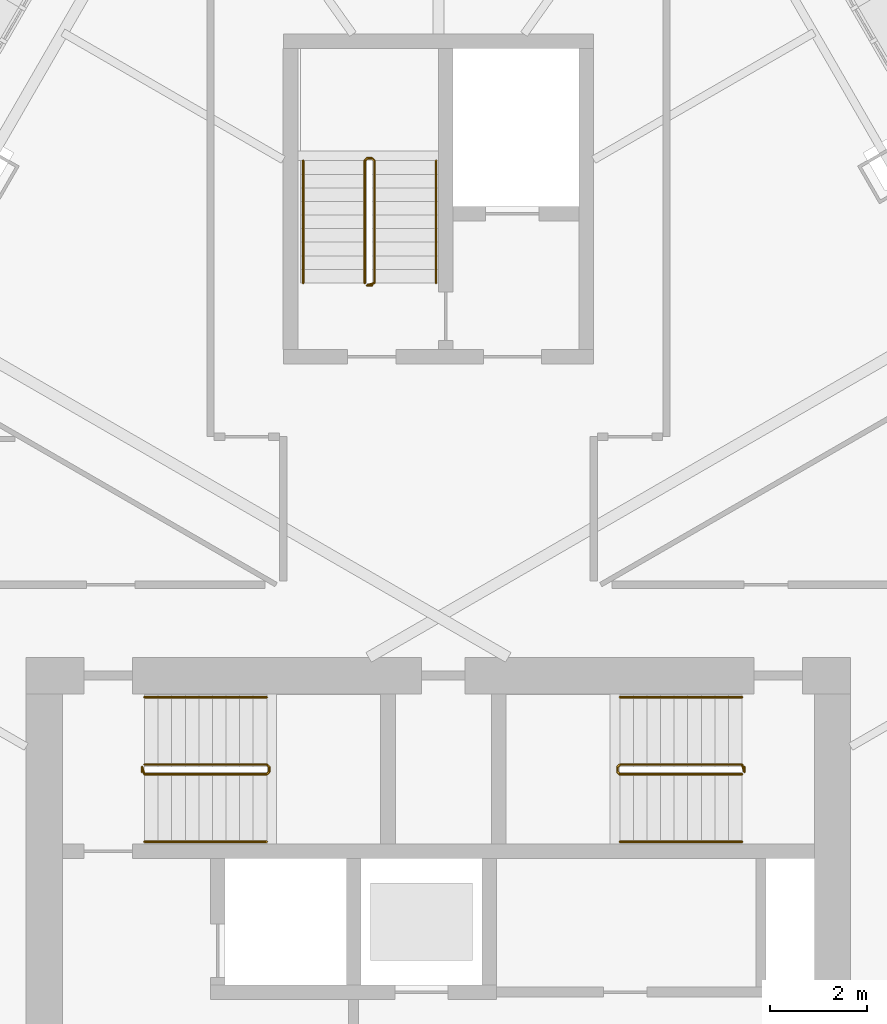
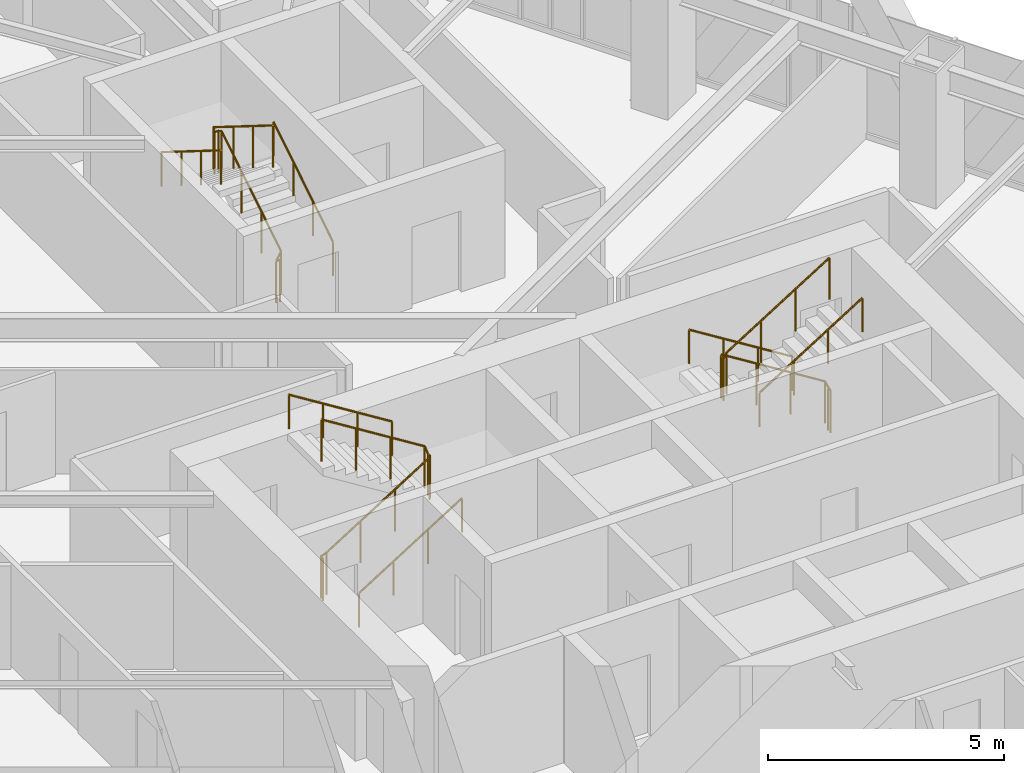
# One storey, part 24 of 25: 9 railings.
"""IFC4 building model written with IfcOpenShell, lengths in metres."""

from ifc_helpers import new_model, si_unit, direction, frame, origin, origin_2d, place, context, subcontext, project, spatial, circle, extrude, material, type_object, element, save


model = new_model("IFC4")

# Units and contexts
model_context = context("Model", 3, precision=1e-05, world=origin(), true_north=direction((0.0, 1.0)))
body_context = subcontext(model_context, "Body", "Model", "MODEL_VIEW")
ifc_project = project(units=[si_unit("LENGTHUNIT", "METRE"), si_unit("AREAUNIT", "SQUARE_METRE"), si_unit("VOLUMEUNIT", "CUBIC_METRE"), si_unit("PLANEANGLEUNIT", "RADIAN"), si_unit("MASSUNIT", "GRAM", prefix="KILO")], contexts=[model_context])

# Site, building, storey
site_placement = place(None, origin())
site = spatial("IfcSite", under=ifc_project, at=site_placement, CompositionType="ELEMENT")
building_placement = place(site_placement, origin())
building = spatial("IfcBuilding", under=site, at=building_placement, Name="Firuza Gate Tower and Library", CompositionType="ELEMENT")
storey_placement = place(building_placement, frame((0.0, 0.0, 270.60009765625)))
storey = spatial("IfcBuildingStorey", under=building, at=storey_placement, Name="L64", CompositionType="ELEMENT", Elevation=270.60009765625)

# Railings
ifc_material_1 = material(Name="Steel S355", Category="steel")
railing_type_1 = type_object("IfcRailingType", Name="Stair guard 1100", PredefinedType="GUARDRAIL", material=ifc_material_1)
railing_1_placement = place(storey_placement, frame((68.889892578125, 79.389892578125, 0.0)))
element("IfcRailing", 1, at=railing_1_placement, inside=storey, type_object=railing_type_1, Name="L64 ST1 stair guard 1", PredefinedType="GUARDRAIL", context=body_context, shape_type="SweptSolid", body=[
    extrude(circle(Radius=0.02392578125, at=origin_2d()), frame((0.0, 0.0, 1.076171875), z_axis=(0.0, 1.0, 0.0), x_axis=(-1.0, 0.0, 0.0)), (0.0, 0.0, 1.0), 0.10009765625),
    extrude(circle(Radius=0.02392578125, at=origin_2d()), frame((0.0, 0.10009765625, 1.076171875), z_axis=(0.212383695785, -0.636115069328, 0.741788908207), x_axis=(0.948528701346, 0.316691178788, 0.0)), (0.0, 0.0, 1.0), 0.235595703125),
    extrude(circle(Radius=0.02392578125, at=origin_2d()), frame((0.050048828125, -0.0498046875, 1.2509765625), z_axis=(0.847970611238, 0.0, 0.530043245855), x_axis=(0.0, 1.0, 0.0)), (0.0, 0.0, 1.0), 2.971923828125),
    extrude(circle(Radius=0.02392578125, at=origin_2d()), frame((2.570068359375, -0.0498046875, 2.826171875), z_axis=(0.708833529934, 0.705375805398, 0.0), x_axis=(-0.705375805398, 0.708833529934, 0.0)), (0.0, 0.0, 1.0), 0.070556640625),
    extrude(circle(Radius=0.02392578125, at=origin_2d()), frame((2.6201171875, 0.0, 2.826171875), z_axis=(0.0, 1.0, 0.0), x_axis=(-1.0, 0.0, 0.0)), (0.0, 0.0, 1.0), 0.10009765625),
    extrude(circle(Radius=0.02392578125, at=origin_2d()), frame((2.6201171875, 0.10009765625, 2.826171875), z_axis=(-0.265383341853, 0.265383341853, 0.926899867156), x_axis=(-0.707106781187, -0.707106781187, 0.0)), (0.0, 0.0, 1.0), 0.1884765625),
    extrude(circle(Radius=0.02392578125, at=origin_2d()), frame((2.570068359375, 0.150146484375, 3.0009765625), z_axis=(-0.847970611238, 0.0, 0.530043245855), x_axis=(0.0, -1.0, 0.0)), (0.0, 0.0, 1.0), 2.971923828125),
    extrude(circle(Radius=0.02099609375, at=origin_2d()), origin(), (0.0, 0.0, 1.0), 1.052001953125),
    extrude(circle(Radius=0.02099609375, at=origin_2d()), frame((0.0, 0.10009765625, 0.0)), (0.0, 0.0, 1.0), 1.052001953125),
    extrude(circle(Radius=0.02099609375, at=origin_2d()), frame((0.050048828125, -0.0498046875, 0.1748046875)), (0.0, 0.0, 1.0), 1.052001953125),
    extrude(circle(Radius=0.02099609375, at=origin_2d()), frame((0.89013671875, -0.0498046875, 0.699951171875)), (0.0, 0.0, 1.0), 1.052001953125),
    extrude(circle(Radius=0.02099609375, at=origin_2d()), frame((1.72998046875, -0.0498046875, 1.224853515625)), (0.0, 0.0, 1.0), 1.052001953125),
    extrude(circle(Radius=0.02099609375, at=origin_2d()), frame((2.570068359375, -0.0498046875, 1.75)), (0.0, 0.0, 1.0), 1.052001953125),
    extrude(circle(Radius=0.02099609375, at=origin_2d()), frame((2.6201171875, 0.0, 1.75)), (0.0, 0.0, 1.0), 1.052001953125),
    extrude(circle(Radius=0.02099609375, at=origin_2d()), frame((2.6201171875, 0.10009765625, 1.75)), (0.0, 0.0, 1.0), 1.052001953125),
    extrude(circle(Radius=0.02099609375, at=origin_2d()), frame((2.570068359375, 0.150146484375, 1.9248046875)), (0.0, 0.0, 1.0), 1.052001953125),
    extrude(circle(Radius=0.02099609375, at=origin_2d()), frame((1.72998046875, 0.150146484375, 2.449951171875)), (0.0, 0.0, 1.0), 1.052001953125),
    extrude(circle(Radius=0.02099609375, at=origin_2d()), frame((0.89013671875, 0.150146484375, 2.974853515625)), (0.0, 0.0, 1.0), 1.052001953125),
    extrude(circle(Radius=0.02099609375, at=origin_2d()), frame((0.050048828125, 0.150146484375, 3.5)), (0.0, 0.0, 1.0), 1.052001953125),
])
railing_2_placement = place(storey_placement, frame((81.31005859375, 79.489990234375, 0.0)))
element("IfcRailing", 2, at=railing_2_placement, inside=storey, type_object=railing_type_1, Name="L64 ST2 stair guard 1", PredefinedType="GUARDRAIL", context=body_context, shape_type="SweptSolid", body=[
    extrude(circle(Radius=0.02392578125, at=origin_2d()), frame((0.0, 0.0, 1.076171875), z_axis=(0.0, -1.0, 0.0), x_axis=(1.0, 0.0, 0.0)), (0.0, 0.0, 1.0), 0.10009765625),
    extrude(circle(Radius=0.02392578125, at=origin_2d()), frame((0.0, -0.10009765625, 1.076171875), z_axis=(-0.21224375372, 0.63673126116, 0.741300134944), x_axis=(-0.948683298051, -0.316227766017, 0.0)), (0.0, 0.0, 1.0), 0.23583984375),
    extrude(circle(Radius=0.02392578125, at=origin_2d()), frame((-0.050048828125, 0.050048828125, 1.2509765625), z_axis=(-0.847970611238, 0.0, 0.530043245855), x_axis=(0.0, -1.0, 0.0)), (0.0, 0.0, 1.0), 2.971923828125),
    extrude(circle(Radius=0.02392578125, at=origin_2d()), frame((-2.570068359375, 0.050048828125, 2.826171875), z_axis=(-0.707106781187, -0.707106781187, 0.0), x_axis=(0.707106781187, -0.707106781187, 0.0)), (0.0, 0.0, 1.0), 0.07080078125),
    extrude(circle(Radius=0.02392578125, at=origin_2d()), frame((-2.6201171875, 0.0, 2.826171875), z_axis=(0.0, -1.0, 0.0), x_axis=(1.0, 0.0, 0.0)), (0.0, 0.0, 1.0), 0.10009765625),
    extrude(circle(Radius=0.02392578125, at=origin_2d()), frame((-2.6201171875, -0.10009765625, 2.826171875), z_axis=(0.265474339444, -0.264179342666, 0.927217692888), x_axis=(0.705375805398, 0.708833529934, 0.0)), (0.0, 0.0, 1.0), 0.1884765625),
    extrude(circle(Radius=0.02392578125, at=origin_2d()), frame((-2.570068359375, -0.14990234375, 3.0009765625), z_axis=(0.847970611238, 0.0, 0.530043245855), x_axis=(0.0, 1.0, 0.0)), (0.0, 0.0, 1.0), 2.971923828125),
    extrude(circle(Radius=0.02099609375, at=origin_2d()), origin(), (0.0, 0.0, 1.0), 1.052001953125),
    extrude(circle(Radius=0.02099609375, at=origin_2d()), frame((0.0, -0.10009765625, 0.0)), (0.0, 0.0, 1.0), 1.052001953125),
    extrude(circle(Radius=0.02099609375, at=origin_2d()), frame((-0.050048828125, 0.050048828125, 0.1748046875)), (0.0, 0.0, 1.0), 1.052001953125),
    extrude(circle(Radius=0.02099609375, at=origin_2d()), frame((-0.89013671875, 0.050048828125, 0.699951171875)), (0.0, 0.0, 1.0), 1.052001953125),
    extrude(circle(Radius=0.02099609375, at=origin_2d()), frame((-1.72998046875, 0.050048828125, 1.224853515625)), (0.0, 0.0, 1.0), 1.052001953125),
    extrude(circle(Radius=0.02099609375, at=origin_2d()), frame((-2.570068359375, 0.050048828125, 1.75)), (0.0, 0.0, 1.0), 1.052001953125),
    extrude(circle(Radius=0.02099609375, at=origin_2d()), frame((-2.6201171875, 0.0, 1.75)), (0.0, 0.0, 1.0), 1.052001953125),
    extrude(circle(Radius=0.02099609375, at=origin_2d()), frame((-2.6201171875, -0.10009765625, 1.75)), (0.0, 0.0, 1.0), 1.052001953125),
    extrude(circle(Radius=0.02099609375, at=origin_2d()), frame((-2.570068359375, -0.14990234375, 1.9248046875)), (0.0, 0.0, 1.0), 1.052001953125),
    extrude(circle(Radius=0.02099609375, at=origin_2d()), frame((-1.72998046875, -0.14990234375, 2.449951171875)), (0.0, 0.0, 1.0), 1.052001953125),
    extrude(circle(Radius=0.02099609375, at=origin_2d()), frame((-0.89013671875, -0.14990234375, 2.974853515625)), (0.0, 0.0, 1.0), 1.052001953125),
    extrude(circle(Radius=0.02099609375, at=origin_2d()), frame((-0.050048828125, -0.14990234375, 3.5)), (0.0, 0.0, 1.0), 1.052001953125),
])
railing_3_placement = place(storey_placement, frame((73.6298828125, 89.419921875, 0.0)))
element("IfcRailing", 3, at=railing_3_placement, inside=storey, type_object=railing_type_1, Name="L64 ST3 stair guard 1", PredefinedType="GUARDRAIL", context=body_context, shape_type="SweptSolid", body=[
    extrude(circle(Radius=0.02392578125, at=origin_2d()), frame((0.0, 0.0, 1.076171875), z_axis=(-1.0, 0.0, 0.0), x_axis=(0.0, -1.0, 0.0)), (0.0, 0.0, 1.0), 0.099853515625),
    extrude(circle(Radius=0.02392578125, at=origin_2d()), frame((-0.099853515625, 0.0, 1.076171875), z_axis=(0.636115069328, 0.212383695785, 0.741788908207), x_axis=(-0.316691178788, 0.948528701346, 0.0)), (0.0, 0.0, 1.0), 0.235595703125),
    extrude(circle(Radius=0.02392578125, at=origin_2d()), frame((0.050048828125, 0.050048828125, 1.2509765625), z_axis=(0.0, 0.847970611238, 0.530043245855), x_axis=(-1.0, 0.0, 0.0)), (0.0, 0.0, 1.0), 2.971923828125),
    extrude(circle(Radius=0.02392578125, at=origin_2d()), frame((0.050048828125, 2.570068359375, 2.826171875), z_axis=(-0.707106781187, 0.707106781187, 0.0), x_axis=(-0.707106781187, -0.707106781187, 0.0)), (0.0, 0.0, 1.0), 0.07080078125),
    extrude(circle(Radius=0.02392578125, at=origin_2d()), frame((0.0, 2.6201171875, 2.826171875), z_axis=(-1.0, 0.0, 0.0), x_axis=(0.0, -1.0, 0.0)), (0.0, 0.0, 1.0), 0.099853515625),
    extrude(circle(Radius=0.02392578125, at=origin_2d()), frame((-0.099853515625, 2.6201171875, 2.826171875), z_axis=(-0.265383341853, -0.265383341853, 0.926899867156), x_axis=(0.707106781187, -0.707106781187, 0.0)), (0.0, 0.0, 1.0), 0.1884765625),
    extrude(circle(Radius=0.02392578125, at=origin_2d()), frame((-0.14990234375, 2.570068359375, 3.0009765625), z_axis=(0.0, -0.847970611238, 0.530043245855), x_axis=(1.0, 0.0, 0.0)), (0.0, 0.0, 1.0), 2.971923828125),
    extrude(circle(Radius=0.02099609375, at=origin_2d()), origin(), (0.0, 0.0, 1.0), 1.052001953125),
    extrude(circle(Radius=0.02099609375, at=origin_2d()), frame((-0.099853515625, 0.0, 0.0)), (0.0, 0.0, 1.0), 1.052001953125),
    extrude(circle(Radius=0.02099609375, at=origin_2d()), frame((0.050048828125, 0.050048828125, 0.1748046875)), (0.0, 0.0, 1.0), 1.052001953125),
    extrude(circle(Radius=0.02099609375, at=origin_2d()), frame((0.050048828125, 0.89013671875, 0.699951171875)), (0.0, 0.0, 1.0), 1.052001953125),
    extrude(circle(Radius=0.02099609375, at=origin_2d()), frame((0.050048828125, 1.72998046875, 1.224853515625)), (0.0, 0.0, 1.0), 1.052001953125),
    extrude(circle(Radius=0.02099609375, at=origin_2d()), frame((0.050048828125, 2.570068359375, 1.75)), (0.0, 0.0, 1.0), 1.052001953125),
    extrude(circle(Radius=0.02099609375, at=origin_2d()), frame((0.0, 2.6201171875, 1.75)), (0.0, 0.0, 1.0), 1.052001953125),
    extrude(circle(Radius=0.02099609375, at=origin_2d()), frame((-0.099853515625, 2.6201171875, 1.75)), (0.0, 0.0, 1.0), 1.052001953125),
    extrude(circle(Radius=0.02099609375, at=origin_2d()), frame((-0.14990234375, 2.570068359375, 1.9248046875)), (0.0, 0.0, 1.0), 1.052001953125),
    extrude(circle(Radius=0.02099609375, at=origin_2d()), frame((-0.14990234375, 1.72998046875, 2.449951171875)), (0.0, 0.0, 1.0), 1.052001953125),
    extrude(circle(Radius=0.02099609375, at=origin_2d()), frame((-0.14990234375, 0.89013671875, 2.974853515625)), (0.0, 0.0, 1.0), 1.052001953125),
    extrude(circle(Radius=0.02099609375, at=origin_2d()), frame((-0.14990234375, 0.050048828125, 3.5)), (0.0, 0.0, 1.0), 1.052001953125),
])
ifc_material_2 = material(Name="Steel S355", Category="steel")
railing_type_2 = type_object("IfcRailingType", Name="Stair handrail 900", PredefinedType="HANDRAIL", material=ifc_material_2)
railing_4_placement = place(storey_placement, frame((68.93994140625, 77.949951171875, 0.1748046875)))
element("IfcRailing", 4, at=railing_4_placement, inside=storey, type_object=railing_type_2, Name="L64 ST1 stair handrail 1", PredefinedType="HANDRAIL", context=body_context, shape_type="SweptSolid", body=[
    extrude(circle(Radius=0.02392578125, at=origin_2d()), frame((0.0, 0.0, 0.8759765625), z_axis=(0.847970611238, 0.0, 0.530043245855), x_axis=(0.0, 1.0, 0.0)), (0.0, 0.0, 1.0), 2.971923828125),
    extrude(circle(Radius=0.02099609375, at=origin_2d()), origin(), (0.0, 0.0, 1.0), 0.851806640625),
    extrude(circle(Radius=0.02099609375, at=origin_2d()), frame((0.840087890625, 0.0, 0.525146484375)), (0.0, 0.0, 1.0), 0.851806640625),
    extrude(circle(Radius=0.02099609375, at=origin_2d()), frame((1.679931640625, 0.0, 1.050048828125)), (0.0, 0.0, 1.0), 0.851806640625),
    extrude(circle(Radius=0.02099609375, at=origin_2d()), frame((2.52001953125, 0.0, 1.5751953125)), (0.0, 0.0, 1.0), 0.851806640625),
])
for number, where, name in (
    (5, (71.4599609375, 80.929931640625, 1.9248046875), "L64 ST1 stair handrail 2"),
    (6, (81.260009765625, 80.929931640625, 0.1748046875), "L64 ST2 stair handrail 1"),
):
    element("IfcRailing", number, at=place(storey_placement, frame(where)), inside=storey, type_object=railing_type_2, Name=name, PredefinedType="HANDRAIL", context=body_context, shape_type="SweptSolid", body=[
        extrude(circle(Radius=0.02392578125, at=origin_2d()), frame((0.0, 0.0, 0.8759765625), z_axis=(-0.847970611238, 0.0, 0.530043245855), x_axis=(0.0, -1.0, 0.0)), (0.0, 0.0, 1.0), 2.971923828125),
        extrude(circle(Radius=0.02099609375, at=origin_2d()), origin(), (0.0, 0.0, 1.0), 0.851806640625),
        extrude(circle(Radius=0.02099609375, at=origin_2d()), frame((-0.840087890625, 0.0, 0.525146484375)), (0.0, 0.0, 1.0), 0.851806640625),
        extrude(circle(Radius=0.02099609375, at=origin_2d()), frame((-1.679931640625, 0.0, 1.050048828125)), (0.0, 0.0, 1.0), 0.851806640625),
        extrude(circle(Radius=0.02099609375, at=origin_2d()), frame((-2.52001953125, 0.0, 1.5751953125)), (0.0, 0.0, 1.0), 0.851806640625),
    ])
railing_5_placement = place(storey_placement, frame((78.739990234375, 77.949951171875, 1.9248046875)))
element("IfcRailing", 7, at=railing_5_placement, inside=storey, type_object=railing_type_2, Name="L64 ST2 stair handrail 2", PredefinedType="HANDRAIL", context=body_context, shape_type="SweptSolid", body=[
    extrude(circle(Radius=0.02392578125, at=origin_2d()), frame((0.0, 0.0, 0.8759765625), z_axis=(0.847970611238, 0.0, 0.530043245855), x_axis=(0.0, 1.0, 0.0)), (0.0, 0.0, 1.0), 2.971923828125),
    extrude(circle(Radius=0.02099609375, at=origin_2d()), origin(), (0.0, 0.0, 1.0), 0.851806640625),
    extrude(circle(Radius=0.02099609375, at=origin_2d()), frame((0.840087890625, 0.0, 0.525146484375)), (0.0, 0.0, 1.0), 0.851806640625),
    extrude(circle(Radius=0.02099609375, at=origin_2d()), frame((1.679931640625, 0.0, 1.050048828125)), (0.0, 0.0, 1.0), 0.851806640625),
    extrude(circle(Radius=0.02099609375, at=origin_2d()), frame((2.52001953125, 0.0, 1.5751953125)), (0.0, 0.0, 1.0), 0.851806640625),
])
railing_6_placement = place(storey_placement, frame((74.949951171875, 89.469970703125, 0.1748046875)))
element("IfcRailing", 8, at=railing_6_placement, inside=storey, type_object=railing_type_2, Name="L64 ST3 stair handrail 1", PredefinedType="HANDRAIL", context=body_context, shape_type="SweptSolid", body=[
    extrude(circle(Radius=0.02392578125, at=origin_2d()), frame((0.0, 0.0, 0.8759765625), z_axis=(0.0, 0.847970611238, 0.530043245855), x_axis=(-1.0, 0.0, 0.0)), (0.0, 0.0, 1.0), 2.971923828125),
    extrude(circle(Radius=0.02099609375, at=origin_2d()), origin(), (0.0, 0.0, 1.0), 0.851806640625),
    extrude(circle(Radius=0.02099609375, at=origin_2d()), frame((0.0, 0.840087890625, 0.525146484375)), (0.0, 0.0, 1.0), 0.851806640625),
    extrude(circle(Radius=0.02099609375, at=origin_2d()), frame((0.0, 1.679931640625, 1.050048828125)), (0.0, 0.0, 1.0), 0.851806640625),
    extrude(circle(Radius=0.02099609375, at=origin_2d()), frame((0.0, 2.52001953125, 1.5751953125)), (0.0, 0.0, 1.0), 0.851806640625),
])
railing_7_placement = place(storey_placement, frame((72.2099609375, 91.989990234375, 1.9248046875)))
element("IfcRailing", 9, at=railing_7_placement, inside=storey, type_object=railing_type_2, Name="L64 ST3 stair handrail 2", PredefinedType="HANDRAIL", context=body_context, shape_type="SweptSolid", body=[
    extrude(circle(Radius=0.02392578125, at=origin_2d()), frame((0.0, 0.0, 0.8759765625), z_axis=(0.0, -0.847970611238, 0.530043245855), x_axis=(1.0, 0.0, 0.0)), (0.0, 0.0, 1.0), 2.971923828125),
    extrude(circle(Radius=0.02099609375, at=origin_2d()), origin(), (0.0, 0.0, 1.0), 0.851806640625),
    extrude(circle(Radius=0.02099609375, at=origin_2d()), frame((0.0, -0.840087890625, 0.525146484375)), (0.0, 0.0, 1.0), 0.851806640625),
    extrude(circle(Radius=0.02099609375, at=origin_2d()), frame((0.0, -1.679931640625, 1.050048828125)), (0.0, 0.0, 1.0), 0.851806640625),
    extrude(circle(Radius=0.02099609375, at=origin_2d()), frame((0.0, -2.52001953125, 1.5751953125)), (0.0, 0.0, 1.0), 0.851806640625),
])

save(model, "model.ifc")
